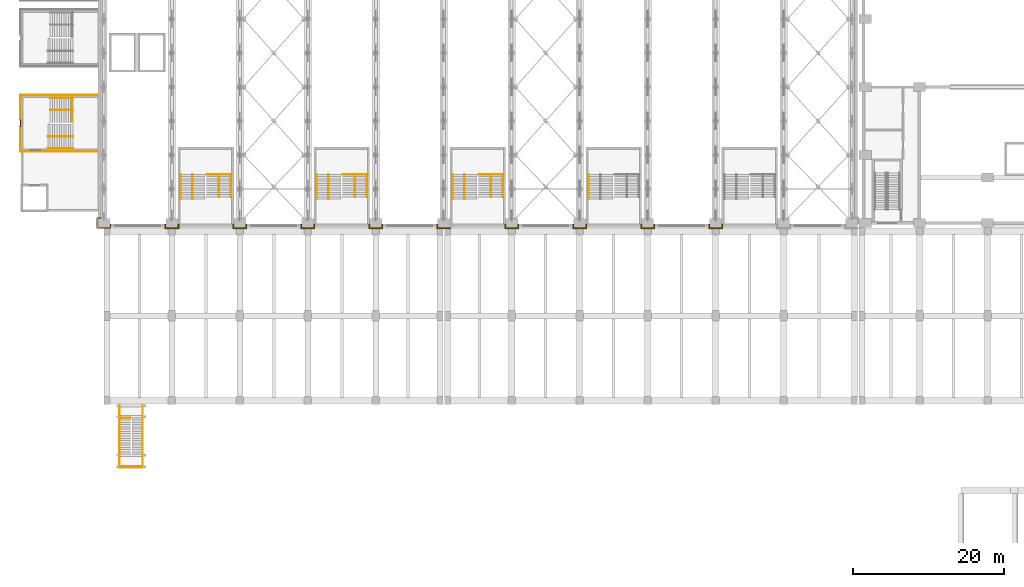
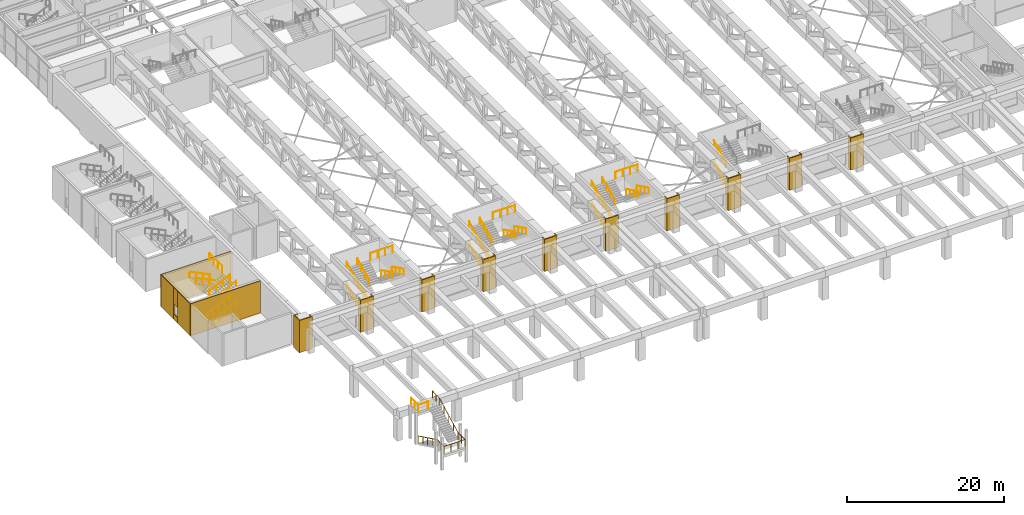
# One storey, part 66 of 76: 32 railings, 16 coverings.
"""IFC4 building model written with IfcOpenShell, lengths in metres."""

from ifc_helpers import new_model, si_unit, direction, frame, origin, origin_2d, place, context, subcontext, project, spatial, polyline, circle, outline, extrude, material, layer, layer_set, type_object, element, save


model = new_model("IFC4")

# Units and contexts
model_context = context("Model", 3, precision=1e-05, world=origin(), true_north=direction((0.0, 1.0)))
body_context = subcontext(model_context, "Body", "Model", "MODEL_VIEW")
ifc_project = project(units=[si_unit("LENGTHUNIT", "METRE"), si_unit("AREAUNIT", "SQUARE_METRE"), si_unit("VOLUMEUNIT", "CUBIC_METRE"), si_unit("PLANEANGLEUNIT", "RADIAN"), si_unit("MASSUNIT", "GRAM", prefix="KILO")], contexts=[model_context])

# Site, building, storey
site_placement = place(None, origin())
site = spatial("IfcSite", under=ifc_project, at=site_placement, CompositionType="ELEMENT")
building_placement = place(site_placement, origin())
building = spatial("IfcBuilding", under=site, at=building_placement, Name="Aravalli Gate Trade Fair Centre", CompositionType="ELEMENT")
storey_placement = place(building_placement, frame((0.0, 0.0, 10.0)))
storey = spatial("IfcBuildingStorey", under=building, at=storey_placement, Name="L02", CompositionType="ELEMENT", Elevation=10.0)

# Railings
ifc_material_1 = material(Name="Steel E350", Category="steel")
railing_type_1 = type_object("IfcRailingType", Name="Edge guard 1100", PredefinedType="GUARDRAIL", material=ifc_material_1)
railing_1_placement = place(storey_placement, frame((8.050048828125, 20.199951171875, 0.147216796875)))
element("IfcRailing", 1, at=railing_1_placement, inside=storey, type_object=railing_type_1, Name="Stair guard 1 L02 A", PredefinedType="GUARDRAIL", context=body_context, shape_type="SweptSolid", body=[
    extrude(circle(Radius=0.02392578125, at=origin_2d()), frame((0.0, 0.0, 1.076171875), z_axis=(0.0, -0.89793417156, 0.440129780343), x_axis=(1.0, 0.0, 0.0)), (0.0, 0.0, 1.0), 5.345703125),
    extrude(circle(Radius=0.02392578125, at=origin_2d()), frame((0.0, -4.800048828125, 3.4287109375), z_axis=(0.0, -1.0, 0.0), x_axis=(1.0, 0.0, 0.0)), (0.0, 0.0, 1.0), 1.75),
    extrude(circle(Radius=0.02392578125, at=origin_2d()), frame((0.0, -6.550048828125, 3.4287109375), z_axis=(1.0, 0.0, 0.0), x_axis=(0.0, 1.0, 0.0)), (0.0, 0.0, 1.0), 3.099853515625),
    extrude(circle(Radius=0.02392578125, at=origin_2d()), frame((3.099853515625, -6.550048828125, 3.4287109375), z_axis=(0.0, 1.0, 0.0), x_axis=(-1.0, 0.0, 0.0)), (0.0, 0.0, 1.0), 1.75),
    extrude(circle(Radius=0.02392578125, at=origin_2d()), frame((3.099853515625, -4.800048828125, 3.4287109375), z_axis=(0.0, 0.886916009322, 0.46193072252), x_axis=(-1.0, 0.0, 0.0)), (0.0, 0.0, 1.0), 5.412109375),
    extrude(circle(Radius=0.02392578125, at=origin_2d()), frame((3.099853515625, 0.0, 5.9287109375), z_axis=(0.0, 1.0, 0.0), x_axis=(-1.0, 0.0, 0.0)), (0.0, 0.0, 1.0), 1.75),
    extrude(circle(Radius=0.02099609375, at=origin_2d()), origin(), (0.0, 0.0, 1.0), 1.052001953125),
    extrude(circle(Radius=0.02099609375, at=origin_2d()), frame((0.0, -1.199951171875, 0.588134765625)), (0.0, 0.0, 1.0), 1.052001953125),
    extrude(circle(Radius=0.02099609375, at=origin_2d()), frame((0.0, -2.39990234375, 1.17626953125)), (0.0, 0.0, 1.0), 1.052001953125),
    extrude(circle(Radius=0.02099609375, at=origin_2d()), frame((0.0, -3.60009765625, 1.7646484375)), (0.0, 0.0, 1.0), 1.052001953125),
    extrude(circle(Radius=0.02099609375, at=origin_2d()), frame((0.0, -4.800048828125, 2.352783203125)), (0.0, 0.0, 1.0), 1.052001953125),
    extrude(circle(Radius=0.02099609375, at=origin_2d()), frame((0.0, -5.675048828125, 2.352783203125)), (0.0, 0.0, 1.0), 1.052001953125),
    extrude(circle(Radius=0.02099609375, at=origin_2d()), frame((0.0, -6.550048828125, 2.352783203125)), (0.0, 0.0, 1.0), 1.052001953125),
    extrude(circle(Radius=0.02099609375, at=origin_2d()), frame((1.033203125, -6.550048828125, 2.352783203125)), (0.0, 0.0, 1.0), 1.052001953125),
    extrude(circle(Radius=0.02099609375, at=origin_2d()), frame((2.066650390625, -6.550048828125, 2.352783203125)), (0.0, 0.0, 1.0), 1.052001953125),
    extrude(circle(Radius=0.02099609375, at=origin_2d()), frame((3.099853515625, -6.550048828125, 2.352783203125)), (0.0, 0.0, 1.0), 1.052001953125),
    extrude(circle(Radius=0.02099609375, at=origin_2d()), frame((3.099853515625, -5.675048828125, 2.352783203125)), (0.0, 0.0, 1.0), 1.052001953125),
    extrude(circle(Radius=0.02099609375, at=origin_2d()), frame((3.099853515625, -4.800048828125, 2.352783203125)), (0.0, 0.0, 1.0), 1.052001953125),
    extrude(circle(Radius=0.02099609375, at=origin_2d()), frame((3.099853515625, -3.60009765625, 2.977783203125)), (0.0, 0.0, 1.0), 1.052001953125),
    extrude(circle(Radius=0.02099609375, at=origin_2d()), frame((3.099853515625, -2.39990234375, 3.602783203125)), (0.0, 0.0, 1.0), 1.052001953125),
    extrude(circle(Radius=0.02099609375, at=origin_2d()), frame((3.099853515625, -1.199951171875, 4.227783203125)), (0.0, 0.0, 1.0), 1.052001953125),
    extrude(circle(Radius=0.02099609375, at=origin_2d()), frame((3.099853515625, 0.0, 4.852783203125)), (0.0, 0.0, 1.0), 1.052001953125),
    extrude(circle(Radius=0.02099609375, at=origin_2d()), frame((3.099853515625, 0.875, 4.852783203125)), (0.0, 0.0, 1.0), 1.052001953125),
    extrude(circle(Radius=0.02099609375, at=origin_2d()), frame((3.099853515625, 1.75, 4.852783203125)), (0.0, 0.0, 1.0), 1.052001953125),
])
railing_2_placement = place(storey_placement, frame((9.5, 20.199951171875, 5.0)))
element("IfcRailing", 2, at=railing_2_placement, inside=storey, type_object=railing_type_1, Name="Stair guard 1 L02 B", PredefinedType="GUARDRAIL", context=body_context, shape_type="SweptSolid", body=[
    extrude(circle(Radius=0.02392578125, at=origin_2d()), frame((0.0, 0.0, 1.076171875), z_axis=(-1.0, 0.0, 0.0), x_axis=(0.0, -1.0, 0.0)), (0.0, 0.0, 1.0), 1.449951171875),
    extrude(circle(Radius=0.02392578125, at=origin_2d()), frame((-1.449951171875, 0.0, 1.076171875), z_axis=(0.0, 1.0, 0.0), x_axis=(-1.0, 0.0, 0.0)), (0.0, 0.0, 1.0), 1.75),
    extrude(circle(Radius=0.02099609375, at=origin_2d()), origin(), (0.0, 0.0, 1.0), 1.052001953125),
    extrude(circle(Radius=0.02099609375, at=origin_2d()), frame((-1.449951171875, 0.0, 0.0)), (0.0, 0.0, 1.0), 1.052001953125),
    extrude(circle(Radius=0.02099609375, at=origin_2d()), frame((-1.449951171875, 0.875, 0.0)), (0.0, 0.0, 1.0), 1.052001953125),
    extrude(circle(Radius=0.02099609375, at=origin_2d()), frame((-1.449951171875, 1.75, 0.0)), (0.0, 0.0, 1.0), 1.052001953125),
])

# Coverings
ifc_material_2 = material(Name="Terracotta", Category="masonry")
ifc_layer_1 = layer(ifc_material_2, 0.10009765625)
ifc_layer_set_1 = layer_set([ifc_layer_1], Name="Terracotta")
covering_type_1 = type_object("IfcCoveringType", Name="End tower cladding 100", PredefinedType="CLADDING", material=ifc_layer_set_1)
covering_1_placement = place(storey_placement, origin())
element("IfcCovering", 3, at=covering_1_placement, inside=storey, type_object=covering_type_1, Name="End tower W1 cladding L02 side A", PredefinedType="CLADDING", context=body_context, shape_type="SweptSolid", body=[
    extrude(outline(polyline([(5.199951171875, 55.39990234375), (-5.10009765625, 55.39990234375), (-5.10009765625, 55.5), (5.199951171875, 55.5), (5.199951171875, 55.39990234375)])), origin(), (0.0, 0.0, 1.0), 5.0),
])
covering_2_placement = place(storey_placement, origin())
element("IfcCovering", 4, at=covering_2_placement, inside=storey, type_object=covering_type_1, Name="End tower W1 cladding L02 side B", PredefinedType="CLADDING", context=body_context, shape_type="SweptSolid", body=[
    extrude(outline(polyline([(5.199951171875, 62.89990234375), (-5.10009765625, 62.89990234375), (-5.10009765625, 63.0), (5.199951171875, 63.0), (5.199951171875, 62.89990234375)])), origin(), (0.0, 0.0, 1.0), 5.0),
])
covering_3_placement = place(storey_placement, origin())
element("IfcCovering", 5, at=covering_3_placement, inside=storey, type_object=covering_type_1, Name="End tower W1 cladding L02 far left", PredefinedType="CLADDING", context=body_context, shape_type="SweptSolid", body=[
    extrude(outline(polyline([(-5.0, 55.5), (-5.10009765625, 55.5), (-5.10009765625, 58.75), (-5.0, 58.75), (-5.0, 55.5)])), origin(), (0.0, 0.0, 1.0), 5.0),
])
covering_4_placement = place(storey_placement, origin())
element("IfcCovering", 6, at=covering_4_placement, inside=storey, type_object=covering_type_1, Name="End tower W1 cladding L02 far right", PredefinedType="CLADDING", context=body_context, shape_type="SweptSolid", body=[
    extrude(outline(polyline([(-5.0, 59.64990234375), (-5.10009765625, 59.64990234375), (-5.10009765625, 62.89990234375), (-5.0, 62.89990234375), (-5.0, 59.64990234375)])), origin(), (0.0, 0.0, 1.0), 5.0),
])
covering_5_placement = place(storey_placement, origin())
element("IfcCovering", 7, at=covering_5_placement, inside=storey, type_object=covering_type_1, Name="End tower W1 cladding L02 below the window", PredefinedType="CLADDING", context=body_context, shape_type="SweptSolid", body=[
    extrude(outline(polyline([(-5.0, 58.75), (-5.10009765625, 58.75), (-5.10009765625, 59.64990234375), (-5.0, 59.64990234375), (-5.0, 58.75)])), origin(), (0.0, 0.0, 1.0), 0.89990234375),
])
covering_6_placement = place(storey_placement, frame((0.0, 0.0, 2.39990234375)))
element("IfcCovering", 8, at=covering_6_placement, inside=storey, type_object=covering_type_1, Name="End tower W1 cladding L02 above the window", PredefinedType="CLADDING", context=body_context, shape_type="SweptSolid", body=[
    extrude(outline(polyline([(-5.0, 58.75), (-5.10009765625, 58.75), (-5.10009765625, 59.64990234375), (-5.0, 59.64990234375), (-5.0, 58.75)])), origin(), (0.0, 0.0, 1.0), 2.60009765625),
])

# Railings
railing_type_2 = type_object("IfcRailingType", Name="Stair guard 1100", PredefinedType="GUARDRAIL", material=ifc_material_1)
for number, where, name in (
    (9, (19.6298828125, 52.39990234375, 5.0), "Guard S02 L02 head"),
    (10, (37.6298828125, 52.39990234375, 5.0), "Guard S04 L02 head"),
    (11, (55.6298828125, 52.39990234375, 5.0), "Guard S06 L02 head"),
):
    element("IfcRailing", number, at=place(storey_placement, frame(where)), inside=storey, type_object=railing_type_2, Name=name, PredefinedType="GUARDRAIL", context=body_context, shape_type="SweptSolid", body=[
        extrude(circle(Radius=0.02392578125, at=origin_2d()), frame((0.0, 0.0, 1.076171875), z_axis=(1.0, 0.0, 0.0), x_axis=(0.0, 1.0, 0.0)), (0.0, 0.0, 1.0), 3.27001953125),
        extrude(circle(Radius=0.02099609375, at=origin_2d()), origin(), (0.0, 0.0, 1.0), 1.052001953125),
        extrude(circle(Radius=0.02099609375, at=origin_2d()), frame((1.090087890625, 0.0, 0.0)), (0.0, 0.0, 1.0), 1.052001953125),
        extrude(circle(Radius=0.02099609375, at=origin_2d()), frame((2.179931640625, 0.0, 0.0)), (0.0, 0.0, 1.0), 1.052001953125),
        extrude(circle(Radius=0.02099609375, at=origin_2d()), frame((3.27001953125, 0.0, 0.0)), (0.0, 0.0, 1.0), 1.052001953125),
    ])
railing_3_placement = place(storey_placement, frame((1.85009765625, 59.330078125, 5.0)))
element("IfcRailing", 12, at=railing_3_placement, inside=storey, type_object=railing_type_2, Name="Guard W1 L02 head", PredefinedType="GUARDRAIL", context=body_context, shape_type="SweptSolid", body=[
    extrude(circle(Radius=0.02392578125, at=origin_2d()), frame((0.0, 0.0, 1.076171875), z_axis=(0.0, 1.0, 0.0), x_axis=(-1.0, 0.0, 0.0)), (0.0, 0.0, 1.0), 3.27001953125),
    extrude(circle(Radius=0.02099609375, at=origin_2d()), origin(), (0.0, 0.0, 1.0), 1.052001953125),
    extrude(circle(Radius=0.02099609375, at=origin_2d()), frame((0.0, 1.090087890625, 0.0)), (0.0, 0.0, 1.0), 1.052001953125),
    extrude(circle(Radius=0.02099609375, at=origin_2d()), frame((0.0, 2.179931640625, 0.0)), (0.0, 0.0, 1.0), 1.052001953125),
    extrude(circle(Radius=0.02099609375, at=origin_2d()), frame((0.0, 3.27001953125, 0.0)), (0.0, 0.0, 1.0), 1.052001953125),
])
railing_type_3 = type_object("IfcRailingType", Name="Stair handrail 900", PredefinedType="HANDRAIL", material=ifc_material_1)
for number, where, name in (
    (13, (16.169921875, 49.14990234375, 0.147216796875), "Handrail S02 L02 1"),
    (14, (17.75, 49.14990234375, 0.147216796875), "Handrail centre S02 L02 2"),
):
    element("IfcRailing", number, at=place(storey_placement, frame(where)), inside=storey, type_object=railing_type_3, Name=name, PredefinedType="HANDRAIL", context=body_context, shape_type="SweptSolid", body=[
        extrude(circle(Radius=0.02392578125, at=origin_2d()), frame((0.0, 0.0, 0.8759765625), z_axis=(0.0, 0.897946461621, 0.440104705795), x_axis=(-1.0, 0.0, 0.0)), (0.0, 0.0, 1.0), 3.675048828125),
        extrude(circle(Radius=0.02099609375, at=origin_2d()), origin(), (0.0, 0.0, 1.0), 0.851806640625),
        extrude(circle(Radius=0.02099609375, at=origin_2d()), frame((0.0, 0.824951171875, 0.404296875)), (0.0, 0.0, 1.0), 0.851806640625),
        extrude(circle(Radius=0.02099609375, at=origin_2d()), frame((0.0, 1.64990234375, 0.80859375)), (0.0, 0.0, 1.0), 0.851806640625),
        extrude(circle(Radius=0.02099609375, at=origin_2d()), frame((0.0, 2.47509765625, 1.213134765625)), (0.0, 0.0, 1.0), 0.851806640625),
        extrude(circle(Radius=0.02099609375, at=origin_2d()), frame((0.0, 3.300048828125, 1.617431640625)), (0.0, 0.0, 1.0), 0.851806640625),
    ])
for number, where, name in (
    (15, (22.830078125, 52.449951171875, 1.911865234375), "Handrail S02 L02 3"),
    (16, (21.25, 52.449951171875, 1.911865234375), "Handrail centre S02 L02 4"),
):
    element("IfcRailing", number, at=place(storey_placement, frame(where)), inside=storey, type_object=railing_type_3, Name=name, PredefinedType="HANDRAIL", context=body_context, shape_type="SweptSolid", body=[
        extrude(circle(Radius=0.02392578125, at=origin_2d()), frame((0.0, 0.0, 0.8759765625), z_axis=(0.0, -0.897936012048, 0.440126025437), x_axis=(1.0, 0.0, 0.0)), (0.0, 0.0, 1.0), 3.341064453125),
        extrude(circle(Radius=0.02099609375, at=origin_2d()), origin(), (0.0, 0.0, 1.0), 0.851806640625),
        extrude(circle(Radius=0.02099609375, at=origin_2d()), frame((0.0, -1.0, 0.490234375)), (0.0, 0.0, 1.0), 0.851806640625),
        extrude(circle(Radius=0.02099609375, at=origin_2d()), frame((0.0, -2.0, 0.980224609375)), (0.0, 0.0, 1.0), 0.851806640625),
        extrude(circle(Radius=0.02099609375, at=origin_2d()), frame((0.0, -3.0, 1.470458984375)), (0.0, 0.0, 1.0), 0.851806640625),
    ])
for number, where, name in (
    (17, (16.169921875, 49.449951171875, 3.529296875), "Handrail S02 L02 5"),
    (18, (17.75, 49.449951171875, 3.529296875), "Handrail centre S02 L02 6"),
):
    element("IfcRailing", number, at=place(storey_placement, frame(where)), inside=storey, type_object=railing_type_3, Name=name, PredefinedType="HANDRAIL", context=body_context, shape_type="SweptSolid", body=[
        extrude(circle(Radius=0.02392578125, at=origin_2d()), frame((0.0, 0.0, 0.8759765625), z_axis=(0.0, 0.897907131747, 0.44018494154), x_axis=(-1.0, 0.0, 0.0)), (0.0, 0.0, 1.0), 3.341064453125),
        extrude(circle(Radius=0.02099609375, at=origin_2d()), origin(), (0.0, 0.0, 1.0), 0.851806640625),
        extrude(circle(Radius=0.02099609375, at=origin_2d()), frame((0.0, 1.0, 0.490234375)), (0.0, 0.0, 1.0), 0.851806640625),
        extrude(circle(Radius=0.02099609375, at=origin_2d()), frame((0.0, 2.0, 0.98046875)), (0.0, 0.0, 1.0), 0.851806640625),
        extrude(circle(Radius=0.02099609375, at=origin_2d()), frame((0.0, 3.0, 1.470703125)), (0.0, 0.0, 1.0), 0.851806640625),
    ])
for number, where, name in (
    (19, (34.169921875, 49.14990234375, 0.147216796875), "Handrail S04 L02 1"),
    (20, (35.75, 49.14990234375, 0.147216796875), "Handrail centre S04 L02 2"),
):
    element("IfcRailing", number, at=place(storey_placement, frame(where)), inside=storey, type_object=railing_type_3, Name=name, PredefinedType="HANDRAIL", context=body_context, shape_type="SweptSolid", body=[
        extrude(circle(Radius=0.02392578125, at=origin_2d()), frame((0.0, 0.0, 0.8759765625), z_axis=(0.0, 0.897946461621, 0.440104705795), x_axis=(-1.0, 0.0, 0.0)), (0.0, 0.0, 1.0), 3.675048828125),
        extrude(circle(Radius=0.02099609375, at=origin_2d()), origin(), (0.0, 0.0, 1.0), 0.851806640625),
        extrude(circle(Radius=0.02099609375, at=origin_2d()), frame((0.0, 0.824951171875, 0.404296875)), (0.0, 0.0, 1.0), 0.851806640625),
        extrude(circle(Radius=0.02099609375, at=origin_2d()), frame((0.0, 1.64990234375, 0.80859375)), (0.0, 0.0, 1.0), 0.851806640625),
        extrude(circle(Radius=0.02099609375, at=origin_2d()), frame((0.0, 2.47509765625, 1.213134765625)), (0.0, 0.0, 1.0), 0.851806640625),
        extrude(circle(Radius=0.02099609375, at=origin_2d()), frame((0.0, 3.300048828125, 1.617431640625)), (0.0, 0.0, 1.0), 0.851806640625),
    ])
for number, where, name in (
    (21, (40.830078125, 52.449951171875, 1.911865234375), "Handrail S04 L02 3"),
    (22, (39.25, 52.449951171875, 1.911865234375), "Handrail centre S04 L02 4"),
):
    element("IfcRailing", number, at=place(storey_placement, frame(where)), inside=storey, type_object=railing_type_3, Name=name, PredefinedType="HANDRAIL", context=body_context, shape_type="SweptSolid", body=[
        extrude(circle(Radius=0.02392578125, at=origin_2d()), frame((0.0, 0.0, 0.8759765625), z_axis=(0.0, -0.897936012048, 0.440126025437), x_axis=(1.0, 0.0, 0.0)), (0.0, 0.0, 1.0), 3.341064453125),
        extrude(circle(Radius=0.02099609375, at=origin_2d()), origin(), (0.0, 0.0, 1.0), 0.851806640625),
        extrude(circle(Radius=0.02099609375, at=origin_2d()), frame((0.0, -1.0, 0.490234375)), (0.0, 0.0, 1.0), 0.851806640625),
        extrude(circle(Radius=0.02099609375, at=origin_2d()), frame((0.0, -2.0, 0.980224609375)), (0.0, 0.0, 1.0), 0.851806640625),
        extrude(circle(Radius=0.02099609375, at=origin_2d()), frame((0.0, -3.0, 1.470458984375)), (0.0, 0.0, 1.0), 0.851806640625),
    ])
for number, where, name in (
    (23, (34.169921875, 49.449951171875, 3.529296875), "Handrail S04 L02 5"),
    (24, (35.75, 49.449951171875, 3.529296875), "Handrail centre S04 L02 6"),
):
    element("IfcRailing", number, at=place(storey_placement, frame(where)), inside=storey, type_object=railing_type_3, Name=name, PredefinedType="HANDRAIL", context=body_context, shape_type="SweptSolid", body=[
        extrude(circle(Radius=0.02392578125, at=origin_2d()), frame((0.0, 0.0, 0.8759765625), z_axis=(0.0, 0.897907131747, 0.44018494154), x_axis=(-1.0, 0.0, 0.0)), (0.0, 0.0, 1.0), 3.341064453125),
        extrude(circle(Radius=0.02099609375, at=origin_2d()), origin(), (0.0, 0.0, 1.0), 0.851806640625),
        extrude(circle(Radius=0.02099609375, at=origin_2d()), frame((0.0, 1.0, 0.490234375)), (0.0, 0.0, 1.0), 0.851806640625),
        extrude(circle(Radius=0.02099609375, at=origin_2d()), frame((0.0, 2.0, 0.98046875)), (0.0, 0.0, 1.0), 0.851806640625),
        extrude(circle(Radius=0.02099609375, at=origin_2d()), frame((0.0, 3.0, 1.470703125)), (0.0, 0.0, 1.0), 0.851806640625),
    ])
for number, where, name in (
    (25, (52.169921875, 49.14990234375, 0.147216796875), "Handrail S06 L02 1"),
    (26, (53.75, 49.14990234375, 0.147216796875), "Handrail centre S06 L02 2"),
):
    element("IfcRailing", number, at=place(storey_placement, frame(where)), inside=storey, type_object=railing_type_3, Name=name, PredefinedType="HANDRAIL", context=body_context, shape_type="SweptSolid", body=[
        extrude(circle(Radius=0.02392578125, at=origin_2d()), frame((0.0, 0.0, 0.8759765625), z_axis=(0.0, 0.897946461621, 0.440104705795), x_axis=(-1.0, 0.0, 0.0)), (0.0, 0.0, 1.0), 3.675048828125),
        extrude(circle(Radius=0.02099609375, at=origin_2d()), origin(), (0.0, 0.0, 1.0), 0.851806640625),
        extrude(circle(Radius=0.02099609375, at=origin_2d()), frame((0.0, 0.824951171875, 0.404296875)), (0.0, 0.0, 1.0), 0.851806640625),
        extrude(circle(Radius=0.02099609375, at=origin_2d()), frame((0.0, 1.64990234375, 0.80859375)), (0.0, 0.0, 1.0), 0.851806640625),
        extrude(circle(Radius=0.02099609375, at=origin_2d()), frame((0.0, 2.47509765625, 1.213134765625)), (0.0, 0.0, 1.0), 0.851806640625),
        extrude(circle(Radius=0.02099609375, at=origin_2d()), frame((0.0, 3.300048828125, 1.617431640625)), (0.0, 0.0, 1.0), 0.851806640625),
    ])
for number, where, name in (
    (27, (58.830078125, 52.449951171875, 1.911865234375), "Handrail S06 L02 3"),
    (28, (57.25, 52.449951171875, 1.911865234375), "Handrail centre S06 L02 4"),
):
    element("IfcRailing", number, at=place(storey_placement, frame(where)), inside=storey, type_object=railing_type_3, Name=name, PredefinedType="HANDRAIL", context=body_context, shape_type="SweptSolid", body=[
        extrude(circle(Radius=0.02392578125, at=origin_2d()), frame((0.0, 0.0, 0.8759765625), z_axis=(0.0, -0.897936012048, 0.440126025437), x_axis=(1.0, 0.0, 0.0)), (0.0, 0.0, 1.0), 3.341064453125),
        extrude(circle(Radius=0.02099609375, at=origin_2d()), origin(), (0.0, 0.0, 1.0), 0.851806640625),
        extrude(circle(Radius=0.02099609375, at=origin_2d()), frame((0.0, -1.0, 0.490234375)), (0.0, 0.0, 1.0), 0.851806640625),
        extrude(circle(Radius=0.02099609375, at=origin_2d()), frame((0.0, -2.0, 0.980224609375)), (0.0, 0.0, 1.0), 0.851806640625),
        extrude(circle(Radius=0.02099609375, at=origin_2d()), frame((0.0, -3.0, 1.470458984375)), (0.0, 0.0, 1.0), 0.851806640625),
    ])
for number, where, name in (
    (29, (52.169921875, 49.449951171875, 3.529296875), "Handrail S06 L02 5"),
    (30, (53.75, 49.449951171875, 3.529296875), "Handrail centre S06 L02 6"),
):
    element("IfcRailing", number, at=place(storey_placement, frame(where)), inside=storey, type_object=railing_type_3, Name=name, PredefinedType="HANDRAIL", context=body_context, shape_type="SweptSolid", body=[
        extrude(circle(Radius=0.02392578125, at=origin_2d()), frame((0.0, 0.0, 0.8759765625), z_axis=(0.0, 0.897907131747, 0.44018494154), x_axis=(-1.0, 0.0, 0.0)), (0.0, 0.0, 1.0), 3.341064453125),
        extrude(circle(Radius=0.02099609375, at=origin_2d()), origin(), (0.0, 0.0, 1.0), 0.851806640625),
        extrude(circle(Radius=0.02099609375, at=origin_2d()), frame((0.0, 1.0, 0.490234375)), (0.0, 0.0, 1.0), 0.851806640625),
        extrude(circle(Radius=0.02099609375, at=origin_2d()), frame((0.0, 2.0, 0.98046875)), (0.0, 0.0, 1.0), 0.851806640625),
        extrude(circle(Radius=0.02099609375, at=origin_2d()), frame((0.0, 3.0, 1.470703125)), (0.0, 0.0, 1.0), 0.851806640625),
    ])
railing_4_placement = place(storey_placement, frame((70.169921875, 49.14990234375, 0.147216796875)))
element("IfcRailing", 31, at=railing_4_placement, inside=storey, type_object=railing_type_3, Name="Handrail S08 L02 1", PredefinedType="HANDRAIL", context=body_context, shape_type="SweptSolid", body=[
    extrude(circle(Radius=0.02392578125, at=origin_2d()), frame((0.0, 0.0, 0.8759765625), z_axis=(0.0, 0.897946461621, 0.440104705795), x_axis=(-1.0, 0.0, 0.0)), (0.0, 0.0, 1.0), 3.675048828125),
    extrude(circle(Radius=0.02099609375, at=origin_2d()), origin(), (0.0, 0.0, 1.0), 0.851806640625),
    extrude(circle(Radius=0.02099609375, at=origin_2d()), frame((0.0, 0.824951171875, 0.404296875)), (0.0, 0.0, 1.0), 0.851806640625),
    extrude(circle(Radius=0.02099609375, at=origin_2d()), frame((0.0, 1.64990234375, 0.80859375)), (0.0, 0.0, 1.0), 0.851806640625),
    extrude(circle(Radius=0.02099609375, at=origin_2d()), frame((0.0, 2.47509765625, 1.213134765625)), (0.0, 0.0, 1.0), 0.851806640625),
    extrude(circle(Radius=0.02099609375, at=origin_2d()), frame((0.0, 3.300048828125, 1.617431640625)), (0.0, 0.0, 1.0), 0.851806640625),
])
railing_5_placement = place(storey_placement, frame((70.169921875, 49.449951171875, 3.529296875)))
element("IfcRailing", 32, at=railing_5_placement, inside=storey, type_object=railing_type_3, Name="Handrail S08 L02 5", PredefinedType="HANDRAIL", context=body_context, shape_type="SweptSolid", body=[
    extrude(circle(Radius=0.02392578125, at=origin_2d()), frame((0.0, 0.0, 0.8759765625), z_axis=(0.0, 0.897907131747, 0.44018494154), x_axis=(-1.0, 0.0, 0.0)), (0.0, 0.0, 1.0), 3.341064453125),
    extrude(circle(Radius=0.02099609375, at=origin_2d()), origin(), (0.0, 0.0, 1.0), 0.851806640625),
    extrude(circle(Radius=0.02099609375, at=origin_2d()), frame((0.0, 1.0, 0.490234375)), (0.0, 0.0, 1.0), 0.851806640625),
    extrude(circle(Radius=0.02099609375, at=origin_2d()), frame((0.0, 2.0, 0.98046875)), (0.0, 0.0, 1.0), 0.851806640625),
    extrude(circle(Radius=0.02099609375, at=origin_2d()), frame((0.0, 3.0, 1.470703125)), (0.0, 0.0, 1.0), 0.851806640625),
])
for number, where, name in (
    (33, (-1.39990234375, 55.8701171875, 0.147216796875), "Handrail W1 L02 1"),
    (34, (-1.39990234375, 57.449951171875, 0.147216796875), "Handrail centre W1 L02 2"),
):
    element("IfcRailing", number, at=place(storey_placement, frame(where)), inside=storey, type_object=railing_type_3, Name=name, PredefinedType="HANDRAIL", context=body_context, shape_type="SweptSolid", body=[
        extrude(circle(Radius=0.02392578125, at=origin_2d()), frame((0.0, 0.0, 0.8759765625), z_axis=(0.897933593325, 0.0, 0.440130960031), x_axis=(0.0, 1.0, 0.0)), (0.0, 0.0, 1.0), 3.6748046875),
        extrude(circle(Radius=0.02099609375, at=origin_2d()), origin(), (0.0, 0.0, 1.0), 0.851806640625),
        extrude(circle(Radius=0.02099609375, at=origin_2d()), frame((0.824951171875, 0.0, 0.404296875)), (0.0, 0.0, 1.0), 0.851806640625),
        extrude(circle(Radius=0.02099609375, at=origin_2d()), frame((1.64990234375, 0.0, 0.80859375)), (0.0, 0.0, 1.0), 0.851806640625),
        extrude(circle(Radius=0.02099609375, at=origin_2d()), frame((2.474853515625, 0.0, 1.213134765625)), (0.0, 0.0, 1.0), 0.851806640625),
        extrude(circle(Radius=0.02099609375, at=origin_2d()), frame((3.2998046875, 0.0, 1.617431640625)), (0.0, 0.0, 1.0), 0.851806640625),
    ])
for number, where, name in (
    (35, (1.89990234375, 62.530029296875, 1.911865234375), "Handrail W1 L02 3"),
    (36, (1.89990234375, 60.949951171875, 1.911865234375), "Handrail centre W1 L02 4"),
):
    element("IfcRailing", number, at=place(storey_placement, frame(where)), inside=storey, type_object=railing_type_3, Name=name, PredefinedType="HANDRAIL", context=body_context, shape_type="SweptSolid", body=[
        extrude(circle(Radius=0.02392578125, at=origin_2d()), frame((0.0, 0.0, 0.8759765625), z_axis=(-0.897936012048, 0.0, 0.440126025437), x_axis=(0.0, -1.0, 0.0)), (0.0, 0.0, 1.0), 3.341064453125),
        extrude(circle(Radius=0.02099609375, at=origin_2d()), origin(), (0.0, 0.0, 1.0), 0.851806640625),
        extrude(circle(Radius=0.02099609375, at=origin_2d()), frame((-1.0, 0.0, 0.490234375)), (0.0, 0.0, 1.0), 0.851806640625),
        extrude(circle(Radius=0.02099609375, at=origin_2d()), frame((-2.0, 0.0, 0.980224609375)), (0.0, 0.0, 1.0), 0.851806640625),
        extrude(circle(Radius=0.02099609375, at=origin_2d()), frame((-3.0, 0.0, 1.470458984375)), (0.0, 0.0, 1.0), 0.851806640625),
    ])
for number, where, name in (
    (37, (-1.10009765625, 55.8701171875, 3.529296875), "Handrail W1 L02 5"),
    (38, (-1.10009765625, 57.449951171875, 3.529296875), "Handrail centre W1 L02 6"),
):
    element("IfcRailing", number, at=place(storey_placement, frame(where)), inside=storey, type_object=railing_type_3, Name=name, PredefinedType="HANDRAIL", context=body_context, shape_type="SweptSolid", body=[
        extrude(circle(Radius=0.02392578125, at=origin_2d()), frame((0.0, 0.0, 0.8759765625), z_axis=(0.897907131747, 0.0, 0.44018494154), x_axis=(0.0, 1.0, 0.0)), (0.0, 0.0, 1.0), 3.341064453125),
        extrude(circle(Radius=0.02099609375, at=origin_2d()), origin(), (0.0, 0.0, 1.0), 0.851806640625),
        extrude(circle(Radius=0.02099609375, at=origin_2d()), frame((1.0, 0.0, 0.490234375)), (0.0, 0.0, 1.0), 0.851806640625),
        extrude(circle(Radius=0.02099609375, at=origin_2d()), frame((2.0, 0.0, 0.98046875)), (0.0, 0.0, 1.0), 0.851806640625),
        extrude(circle(Radius=0.02099609375, at=origin_2d()), frame((3.0, 0.0, 1.470703125)), (0.0, 0.0, 1.0), 0.851806640625),
    ])

# Coverings
ifc_layer_2 = layer(ifc_material_2, 0.14990234375)
ifc_layer_set_2 = layer_set([ifc_layer_2], Name="Terracotta")
covering_type_2 = type_object("IfcCoveringType", Name="Terracotta pier casing", PredefinedType="CLADDING", material=ifc_layer_set_2)
covering_7_placement = place(storey_placement, origin())
element("IfcCovering", 39, at=covering_7_placement, inside=storey, type_object=covering_type_2, Name="Clad pier A1 L02", PredefinedType="CLADDING", context=body_context, shape_type="SweptSolid", body=[
    extrude(outline(polyline([(5.050048828125, 46.75), (5.64990234375, 46.75), (5.64990234375, 46.60009765625), (5.199951171875, 46.60009765625), (5.199951171875, 45.39990234375), (6.800048828125, 45.39990234375), (6.800048828125, 45.85009765625), (6.949951171875, 45.85009765625), (6.949951171875, 45.25), (5.050048828125, 45.25), (5.050048828125, 46.75)])), origin(), (0.0, 0.0, 1.0), 5.0),
])
covering_8_placement = place(storey_placement, origin())
element("IfcCovering", 40, at=covering_8_placement, inside=storey, type_object=covering_type_2, Name="Clad pier A2 L02", PredefinedType="CLADDING", context=body_context, shape_type="SweptSolid", body=[
    extrude(outline(polyline([(14.050048828125, 45.85009765625), (14.199951171875, 45.85009765625), (14.199951171875, 45.39990234375), (15.800048828125, 45.39990234375), (15.800048828125, 45.85009765625), (15.949951171875, 45.85009765625), (15.949951171875, 45.25), (14.050048828125, 45.25), (14.050048828125, 45.85009765625)])), origin(), (0.0, 0.0, 1.0), 5.0),
])
covering_9_placement = place(storey_placement, origin())
element("IfcCovering", 41, at=covering_9_placement, inside=storey, type_object=covering_type_2, Name="Clad pier A3 L02", PredefinedType="CLADDING", context=body_context, shape_type="SweptSolid", body=[
    extrude(outline(polyline([(23.050048828125, 45.85009765625), (23.199951171875, 45.85009765625), (23.199951171875, 45.39990234375), (24.800048828125, 45.39990234375), (24.800048828125, 45.85009765625), (24.949951171875, 45.85009765625), (24.949951171875, 45.25), (23.050048828125, 45.25), (23.050048828125, 45.85009765625)])), origin(), (0.0, 0.0, 1.0), 5.0),
])
covering_10_placement = place(storey_placement, origin())
element("IfcCovering", 42, at=covering_10_placement, inside=storey, type_object=covering_type_2, Name="Clad pier A4 L02", PredefinedType="CLADDING", context=body_context, shape_type="SweptSolid", body=[
    extrude(outline(polyline([(32.050048828125, 45.85009765625), (32.199951171875, 45.85009765625), (32.199951171875, 45.39990234375), (33.800048828125, 45.39990234375), (33.800048828125, 45.85009765625), (33.949951171875, 45.85009765625), (33.949951171875, 45.25), (32.050048828125, 45.25), (32.050048828125, 45.85009765625)])), origin(), (0.0, 0.0, 1.0), 5.0),
])
covering_11_placement = place(storey_placement, origin())
element("IfcCovering", 43, at=covering_11_placement, inside=storey, type_object=covering_type_2, Name="Clad pier A5 L02", PredefinedType="CLADDING", context=body_context, shape_type="SweptSolid", body=[
    extrude(outline(polyline([(41.050048828125, 45.85009765625), (41.199951171875, 45.85009765625), (41.199951171875, 45.39990234375), (42.800048828125, 45.39990234375), (42.800048828125, 45.85009765625), (42.949951171875, 45.85009765625), (42.949951171875, 45.25), (41.050048828125, 45.25), (41.050048828125, 45.85009765625)])), origin(), (0.0, 0.0, 1.0), 5.0),
])
covering_12_placement = place(storey_placement, origin())
element("IfcCovering", 44, at=covering_12_placement, inside=storey, type_object=covering_type_2, Name="Clad pier A6 L02", PredefinedType="CLADDING", context=body_context, shape_type="SweptSolid", body=[
    extrude(outline(polyline([(50.199951171875, 45.85009765625), (50.199951171875, 45.39990234375), (51.800048828125, 45.39990234375), (51.949951171875, 45.39990234375), (51.949951171875, 45.25), (50.050048828125, 45.25), (50.050048828125, 45.85009765625), (50.199951171875, 45.85009765625)])), origin(), (0.0, 0.0, 1.0), 5.0),
])
covering_13_placement = place(storey_placement, origin())
element("IfcCovering", 45, at=covering_13_placement, inside=storey, type_object=covering_type_2, Name="Clad pier A7 L02", PredefinedType="CLADDING", context=body_context, shape_type="SweptSolid", body=[
    extrude(outline(polyline([(59.050048828125, 45.85009765625), (59.199951171875, 45.85009765625), (59.199951171875, 45.39990234375), (60.800048828125, 45.39990234375), (60.800048828125, 45.85009765625), (60.949951171875, 45.85009765625), (60.949951171875, 45.25), (59.050048828125, 45.25), (59.050048828125, 45.85009765625)])), origin(), (0.0, 0.0, 1.0), 5.0),
])
covering_14_placement = place(storey_placement, origin())
element("IfcCovering", 46, at=covering_14_placement, inside=storey, type_object=covering_type_2, Name="Clad pier A8 L02", PredefinedType="CLADDING", context=body_context, shape_type="SweptSolid", body=[
    extrude(outline(polyline([(68.050048828125, 45.85009765625), (68.199951171875, 45.85009765625), (68.199951171875, 45.39990234375), (69.800048828125, 45.39990234375), (69.800048828125, 45.85009765625), (69.949951171875, 45.85009765625), (69.949951171875, 45.25), (68.050048828125, 45.25), (68.050048828125, 45.85009765625)])), origin(), (0.0, 0.0, 1.0), 5.0),
])
covering_15_placement = place(storey_placement, origin())
element("IfcCovering", 47, at=covering_15_placement, inside=storey, type_object=covering_type_2, Name="Clad pier A9 L02", PredefinedType="CLADDING", context=body_context, shape_type="SweptSolid", body=[
    extrude(outline(polyline([(77.050048828125, 45.85009765625), (77.199951171875, 45.85009765625), (77.199951171875, 45.39990234375), (78.800048828125, 45.39990234375), (78.800048828125, 45.85009765625), (78.949951171875, 45.85009765625), (78.949951171875, 45.25), (77.050048828125, 45.25), (77.050048828125, 45.85009765625)])), origin(), (0.0, 0.0, 1.0), 5.0),
])
covering_16_placement = place(storey_placement, origin())
element("IfcCovering", 48, at=covering_16_placement, inside=storey, type_object=covering_type_2, Name="Clad pier A10 L02", PredefinedType="CLADDING", context=body_context, shape_type="SweptSolid", body=[
    extrude(outline(polyline([(86.050048828125, 45.85009765625), (86.199951171875, 45.85009765625), (86.199951171875, 45.39990234375), (87.800048828125, 45.39990234375), (87.800048828125, 45.85009765625), (87.949951171875, 45.85009765625), (87.949951171875, 45.25), (86.050048828125, 45.25), (86.050048828125, 45.85009765625)])), origin(), (0.0, 0.0, 1.0), 5.0),
])

save(model, "model.ifc")
